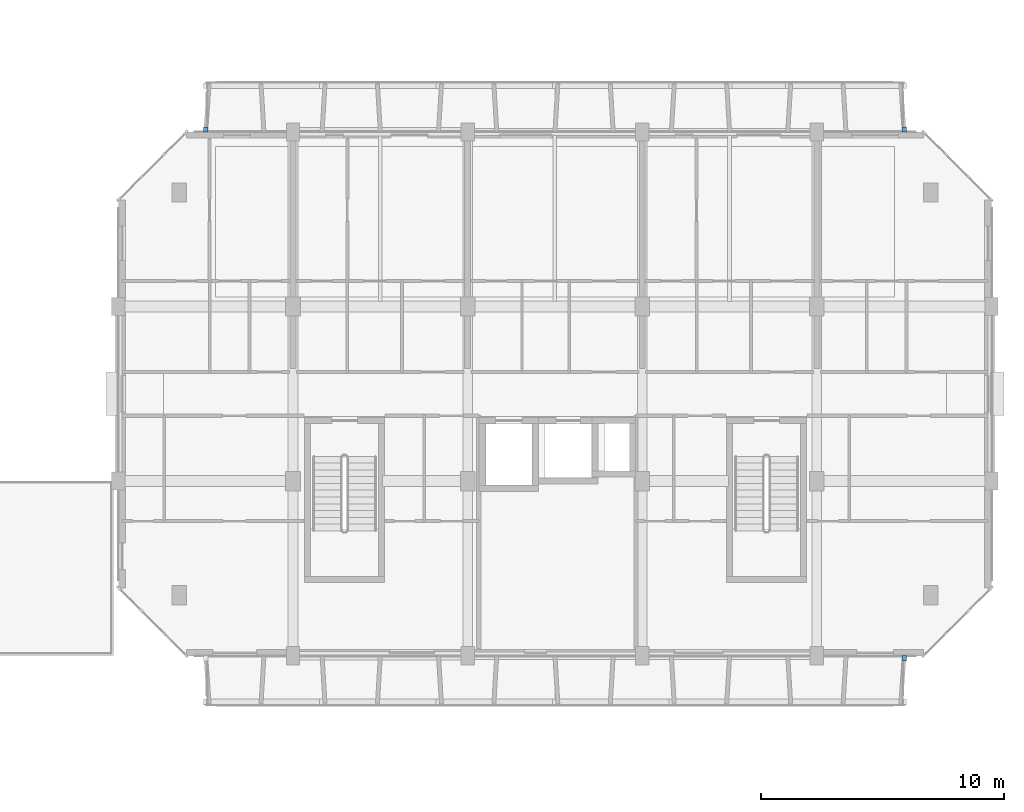
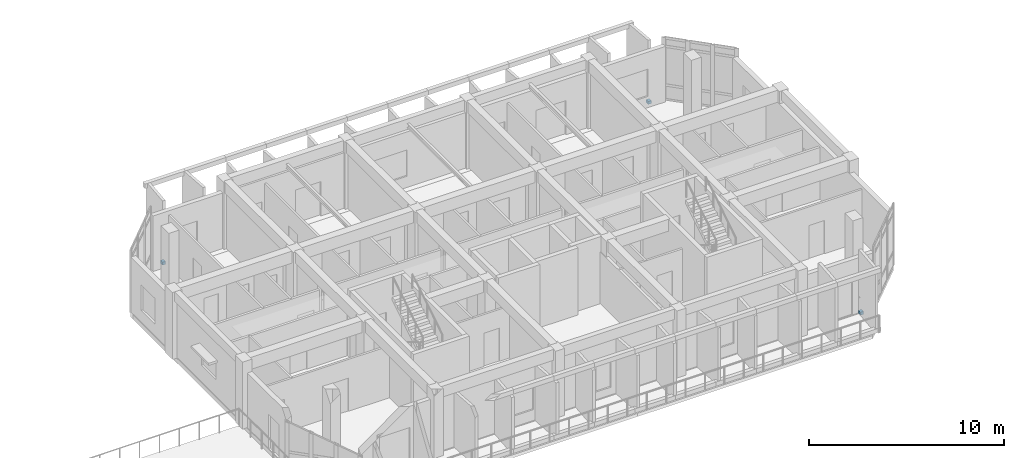
# One storey, part 67 of 85: 3 discrete accessories.
"""IFC4 building model written with IfcOpenShell, lengths in metres."""

from ifc_helpers import new_model, si_unit, direction, frame, origin, origin_2d, place, context, subcontext, project, spatial, rectangle, extrude, material, type_object, element, save


model = new_model("IFC4")

# Units and contexts
model_context = context("Model", 3, precision=1e-05, world=origin(), true_north=direction((0.0, 1.0)))
body_context = subcontext(model_context, "Body", "Model", "MODEL_VIEW")
ifc_project = project(units=[si_unit("LENGTHUNIT", "METRE"), si_unit("AREAUNIT", "SQUARE_METRE"), si_unit("VOLUMEUNIT", "CUBIC_METRE"), si_unit("PLANEANGLEUNIT", "RADIAN"), si_unit("MASSUNIT", "GRAM", prefix="KILO")], contexts=[model_context])

# Site, building, storey
site_placement = place(None, origin())
site = spatial("IfcSite", under=ifc_project, at=site_placement, CompositionType="ELEMENT")
building_placement = place(site_placement, origin())
building = spatial("IfcBuilding", under=site, at=building_placement, Name="Ochrevale Crest", CompositionType="ELEMENT")
storey_placement = place(building_placement, frame((0.0, 0.0, 4.5)))
storey = spatial("IfcBuildingStorey", under=building, at=storey_placement, Name="L01", CompositionType="ELEMENT", Elevation=4.5)

# Discrete accessories
ifc_material = material(Name="Galvanised steel", Category="steel")
discrete_accessory_type = type_object("IfcDiscreteAccessoryType", Name="ACC-BRK-HC", PredefinedType="BRACKET", material=ifc_material)
for number, where, z_axis, x_axis, name in (
    (1, (162.0, 71.89990234375, 0.0), (0.0, 0.0, 1.0), (1.0, 0.0, 0.0), "Block D L01 precast loggia corbel bracket"),
    (2, (133.199951171875, 93.699951171875, 0.0), (0.0, 0.0, 1.0), (1.0, 0.0, 0.0), "Block D L01 precast loggia corbel bracket"),
    (3, (162.0, 93.699951171875, 0.0), (0.0, 0.0, 1.0), (1.0, 0.0, 0.0), "Block D L01 precast loggia corbel bracket"),
):
    element("IfcDiscreteAccessory", number, at=place(storey_placement, frame(where, z_axis=z_axis, x_axis=x_axis)), inside=storey, type_object=discrete_accessory_type, Name=name, PredefinedType="BRACKET", context=body_context, shape_type="SweptSolid", body=[
        extrude(rectangle(XDim=0.179931640625, YDim=0.219970703125, at=origin_2d()), origin(), (0.0, 0.0, 1.0), 0.179931640625),
    ])

save(model, "model.ifc")
